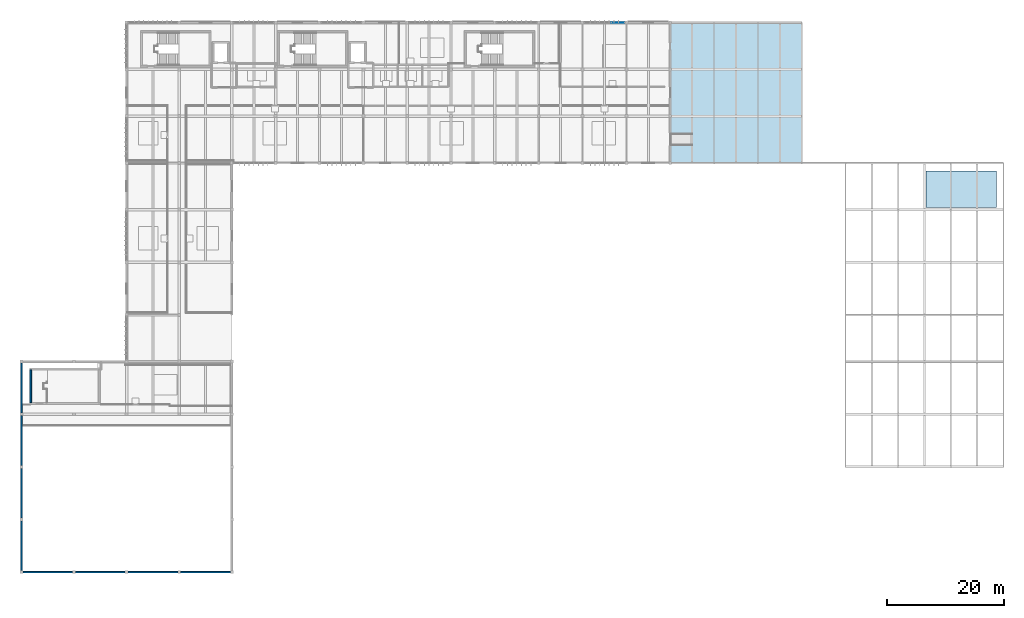
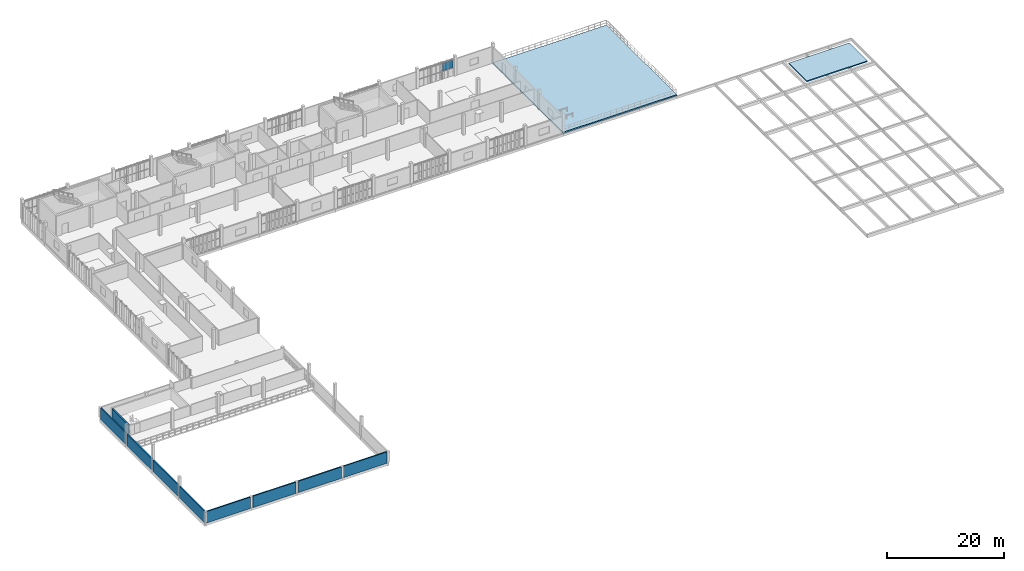
# One storey, part 17 of 27: 9 walls, 2 slabs, 1 plate, 1 element without a shape of its own.
"""IFC4 building model written with IfcOpenShell, lengths in metres."""

from ifc_helpers import new_model, si_unit, direction, frame, frame_2d, origin, origin_2d, place, context, subcontext, project, spatial, polyline, rectangle, outline, extrude, material, layer, layer_set, type_object, element, aggregate, save


model = new_model("IFC4")

# Units and contexts
model_context = context("Model", 3, precision=1e-05, world=origin(), true_north=direction((0.0, 1.0)))
body_context = subcontext(model_context, "Body", "Model", "MODEL_VIEW")
ifc_project = project(units=[si_unit("LENGTHUNIT", "METRE"), si_unit("AREAUNIT", "SQUARE_METRE"), si_unit("VOLUMEUNIT", "CUBIC_METRE"), si_unit("PLANEANGLEUNIT", "RADIAN"), si_unit("MASSUNIT", "GRAM", prefix="KILO")], contexts=[model_context])

# Site, building, storey
site_placement = place(None, origin())
site = spatial("IfcSite", under=ifc_project, at=site_placement, CompositionType="ELEMENT")
building_placement = place(site_placement, origin())
building = spatial("IfcBuilding", under=site, at=building_placement, Name="Vourika Railside Aquatics Centre", CompositionType="ELEMENT")
storey_placement = place(building_placement, frame((0.0, 0.0, 13.5)))
storey = spatial("IfcBuildingStorey", under=building, at=storey_placement, Name="L03", CompositionType="ELEMENT", Elevation=13.5)

# Curtain wall, plate
ifc_material_1 = material(Name="Anodized thermally broken aluminium", Category="aluminium")
curtain_wall_type = type_object("IfcCurtainWallType", Name="CW-FIT3", PredefinedType="NOTDEFINED", material=ifc_material_1)
curtain_wall_placement = place(storey_placement, origin())
curtain_wall = element("IfcCurtainWall", 1, at=curtain_wall_placement, inside=storey, type_object=curtain_wall_type, Name="North Boulevard Curtain Wall L03-11", PredefinedType="NOTDEFINED")
ifc_material_2 = material(Name="Low-E solar-control laminated double glazing", Category="glass")
ifc_layer_1 = layer(ifc_material_2, 0.02392578125, Name="CWP-FIT3")
ifc_layer_set_1 = layer_set([ifc_layer_1], Name="Low-E solar-control laminated double glazing")
plate_type = type_object("IfcPlateType", Name="CWP-FIT3", PredefinedType="CURTAIN_PANEL", material=ifc_layer_set_1)
plate_placement = place(storey_placement, frame((102.048828125, 116.0, 1.744140625), z_axis=(0.0, 0.0, 1.0), x_axis=(-1.0, 0.0, 0.0)))
plate = element("IfcPlate", 2, at=plate_placement, type_object=plate_type, Name="CW17 panel 1.2", PredefinedType="CURTAIN_PANEL", context=body_context, shape_type="SweptSolid", body=[
    extrude(rectangle(XDim=2.226318359375, YDim=0.02392578125, at=origin_2d()), origin(), (0.0, 0.0, 1.0), 1.6279296875),
])
aggregate(curtain_wall, [plate])

# Slabs
ifc_material_3 = material(Name="Concrete C35/45", Category="concrete")
ifc_layer_2 = layer(ifc_material_3, 0.22998046875, Name="SLB-ROOF-EAV230")
ifc_layer_set_2 = layer_set([ifc_layer_2], Name="Concrete C35/45")
slab_type_1 = type_object("IfcSlabType", Name="SLB-ROOF-EAV230", PredefinedType="ROOF", material=ifc_layer_set_2)
slab_1_placement = place(storey_placement, frame((0.0, 0.0, -0.22998046875)))
element("IfcSlab", 3, at=slab_1_placement, inside=storey, type_object=slab_type_1, Name="Protected Exit Stair Core ST05 Shaft Roof Slab", PredefinedType="ROOF", context=body_context, shape_type="SweptSolid", body=[
    extrude(outline(polyline([(154.800048828125, 84.39990234375), (166.800048828125, 84.39990234375), (166.800048828125, 90.60009765625), (154.800048828125, 90.60009765625), (154.800048828125, 84.39990234375)])), origin(), (0.0, 0.0, 1.0), 0.22998046875),
])
ifc_material_4 = material(Name="Concrete C40/50", Category="concrete")
ifc_layer_3 = layer(ifc_material_4, 0.27001953125, Name="SLB-TERR-270E")
ifc_layer_set_3 = layer_set([ifc_layer_3], Name="Concrete C40/50")
slab_type_2 = type_object("IfcSlabType", Name="SLB-TERR-270E", PredefinedType="FLOOR", material=ifc_layer_set_3)
slab_2_placement = place(storey_placement, frame((0.0, 0.0, -0.27001953125)))
element("IfcSlab", 4, at=slab_2_placement, inside=storey, type_object=slab_type_2, Name="L03 Outdoor Terrace Slab (v5_terr_l03)", PredefinedType="FLOOR", context=body_context, shape_type="SweptSolid", body=[
    extrude(outline(polyline([(133.5, 92.0), (133.5, 116.0), (111.0, 116.0), (111.0, 92.0), (133.5, 92.0)])), origin(), (0.0, 0.0, 1.0), 0.27001953125),
])

# Walls
ifc_layer_4 = layer(ifc_material_4, 0.300048828125, Name="WL-CORE")
ifc_layer_set_4 = layer_set([ifc_layer_4], Name="Concrete C40/50")
wall_type_1 = type_object("IfcWallType", Name="WL-CORE", PredefinedType="SHEAR", material=ifc_layer_set_4)
wall_placement = place(storey_placement, frame((1.60009765625, 56.60009765625, 0.0), z_axis=(0.0, 0.0, 1.0), x_axis=(0.0, -1.0, 0.0)))
element("IfcWall", 5, at=wall_placement, inside=storey, type_object=wall_type_1, Name="Protected Exit Stair Core ST04 West Wall (L03)", PredefinedType="SHEAR", context=body_context, shape_type="SweptSolid", body=[
    extrude(rectangle(XDim=5.60009765625, YDim=0.300048828125, at=frame_2d((2.800048828125, 0.0))), origin(), (0.0, 0.0, 1.0), 2.1201171875),
])
ifc_material_5 = material(Name="Precast concrete C40/50", Category="concrete")
ifc_layer_5 = layer(ifc_material_5, 0.25, Name="WL-EXT-250")
ifc_layer_set_5 = layer_set([ifc_layer_5], Name="Precast concrete C40/50")
wall_type_2 = type_object("IfcWallType", Name="WL-EXT-250", PredefinedType="SOLIDWALL", material=ifc_layer_set_5)
for number, where, z_axis, x_axis, name in (
    (6, (0.0, 30.75, -0.260009765625), (0.0, 0.0, 1.0), (0.0, -1.0, 0.0), "Diving Hall West Precast Wall (L03-1)"),
    (7, (0.0, 39.75, -0.260009765625), (0.0, 0.0, 1.0), (0.0, -1.0, 0.0), "Diving Hall West Precast Wall (L03-2)"),
    (8, (0.0, 48.75, -0.260009765625), (0.0, 0.0, 1.0), (0.0, -1.0, 0.0), "Diving Hall West Precast Wall (L03-3)"),
    (9, (0.0, 57.75, -0.260009765625), (0.0, 0.0, 1.0), (0.0, -1.0, 0.0), "Diving Hall West Precast Wall (L03-4)"),
    (10, (0.25, 22.0, -0.260009765625), (0.0, 0.0, 1.0), (1.0, 0.0, 0.0), "Diving Hall South Wall (L03-1)"),
    (11, (9.25, 22.0, -0.260009765625), (0.0, 0.0, 1.0), (1.0, 0.0, 0.0), "Diving Hall South Wall (L03-2)"),
    (12, (18.25, 22.0, -0.260009765625), (0.0, 0.0, 1.0), (1.0, 0.0, 0.0), "Diving Hall South Wall (L03-3)"),
    (13, (27.25, 22.0, -0.260009765625), (0.0, 0.0, 1.0), (1.0, 0.0, 0.0), "Diving Hall South Wall (L03-4)"),
):
    element("IfcWall", number, at=place(storey_placement, frame(where, z_axis=z_axis, x_axis=x_axis)), inside=storey, type_object=wall_type_2, Name=name, PredefinedType="SOLIDWALL", context=body_context, shape_type="SweptSolid", body=[
        extrude(rectangle(XDim=8.5, YDim=0.25, at=frame_2d((4.25, 0.0))), origin(), (0.0, 0.0, 1.0), 2.380126953125),
    ])

save(model, "model.ifc")
